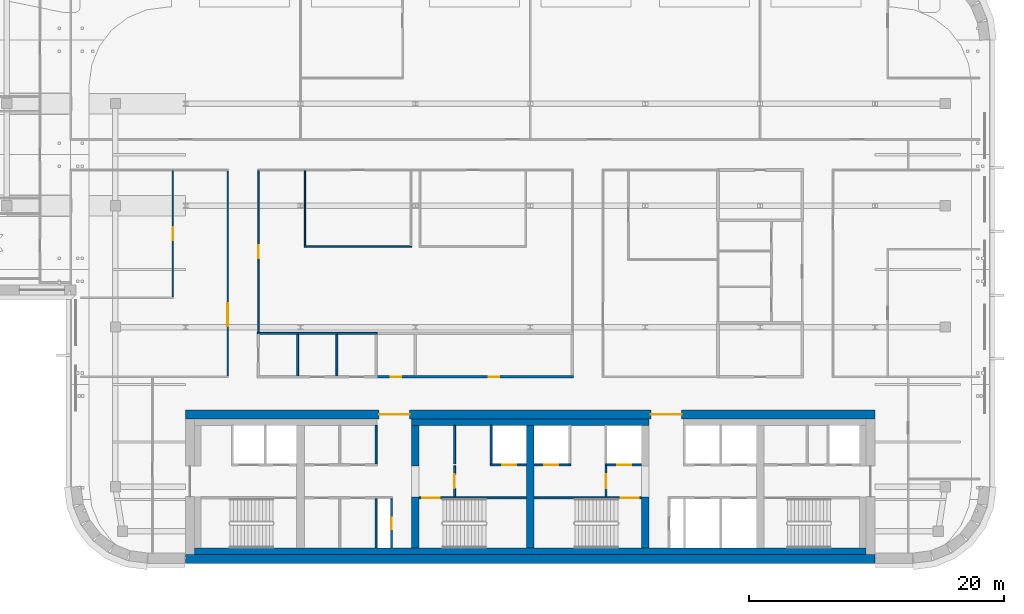
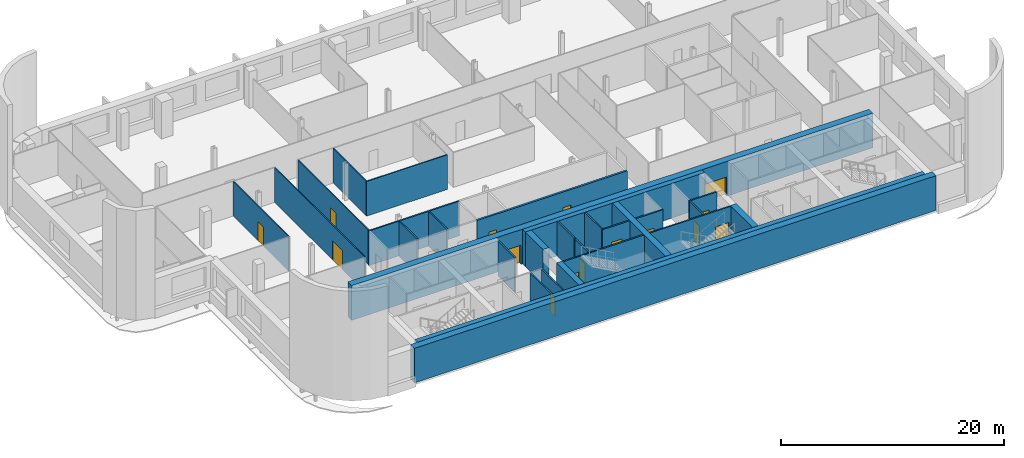
# One storey, part 7 of 19: 29 walls, 15 doors, 15 openings.
"""IFC4 building model written with IfcOpenShell, lengths in metres."""

from ifc_helpers import new_model, si_unit, direction, frame, frame_2d, origin, place, context, subcontext, project, spatial, rectangle, extrude, material, layer, layer_set, type_object, element, fill, save


model = new_model("IFC4")

# Units and contexts
model_context = context("Model", 3, precision=1e-05, world=origin(), true_north=direction((0.0, 1.0)))
body_context = subcontext(model_context, "Body", "Model", "MODEL_VIEW")
ifc_project = project(units=[si_unit("LENGTHUNIT", "METRE"), si_unit("AREAUNIT", "SQUARE_METRE"), si_unit("VOLUMEUNIT", "CUBIC_METRE"), si_unit("PLANEANGLEUNIT", "RADIAN"), si_unit("MASSUNIT", "GRAM", prefix="KILO")], contexts=[model_context])

# Site, building, storey
site_placement = place(None, origin())
site = spatial("IfcSite", under=ifc_project, at=site_placement, CompositionType="ELEMENT")
building_placement = place(site_placement, origin())
building = spatial("IfcBuilding", under=site, at=building_placement, Name="Zellij Exchange Tower", CompositionType="ELEMENT")
storey_placement = place(building_placement, frame((0.0, 0.0, 220.5)))
storey = spatial("IfcBuildingStorey", under=building, at=storey_placement, Name="L51", CompositionType="ELEMENT", Elevation=220.5)

# Walls
ifc_material_1 = material(Name="Concrete C50/60", Category="concrete")
ifc_layer_1 = layer(ifc_material_1, 0.60009765625)
ifc_layer_set_1 = layer_set([ifc_layer_1], Name="Concrete C50/60")
wall_type_1 = type_object("IfcWallType", Name="CORE-CW 600 C50/60", PredefinedType="SHEAR", material=ifc_layer_set_1)
wall_1_placement = place(storey_placement, frame((-9.0, -12.800048828125, 0.0), z_axis=(0.0, 0.0, 1.0), x_axis=(0.0, 1.0, 0.0)))
element("IfcWall", 1, at=wall_1_placement, inside=storey, type_object=wall_type_1, Name="Core cross wall pier x -9 a L51", PredefinedType="SHEAR", context=body_context, shape_type="SweptSolid", body=[
    extrude(rectangle(XDim=4.0, YDim=0.60009765625, at=frame_2d((2.0, 0.0))), origin(), (0.0, 0.0, 1.0), 3.800048828125),
])
wall_2_placement = place(storey_placement, frame((-9.0, -6.375, 0.0), z_axis=(0.0, 0.0, 1.0), x_axis=(0.0, 1.0, 0.0)))
element("IfcWall", 2, at=wall_2_placement, inside=storey, type_object=wall_type_1, Name="Core cross wall pier x -9 b L51", PredefinedType="SHEAR", context=body_context, shape_type="SweptSolid", body=[
    extrude(rectangle(XDim=3.175048828125, YDim=0.60009765625, at=frame_2d((1.58740234375, 0.0))), origin(), (0.0, 0.0, 1.0), 3.800048828125),
])
wall_3_placement = place(storey_placement, frame((0.0, -12.800048828125, 0.0), z_axis=(0.0, 0.0, 1.0), x_axis=(0.0, 1.0, 0.0)))
element("IfcWall", 3, at=wall_3_placement, inside=storey, type_object=wall_type_1, Name="Core cross wall x 0 L51", PredefinedType="SHEAR", context=body_context, shape_type="SweptSolid", body=[
    extrude(rectangle(XDim=9.60009765625, YDim=0.60009765625, at=frame_2d((4.800048828125, 0.0))), origin(), (0.0, 0.0, 1.0), 3.800048828125),
])
wall_4_placement = place(storey_placement, frame((9.0, -12.800048828125, 0.0), z_axis=(0.0, 0.0, 1.0), x_axis=(0.0, 1.0, 0.0)))
element("IfcWall", 4, at=wall_4_placement, inside=storey, type_object=wall_type_1, Name="Core cross wall pier x 9 a L51", PredefinedType="SHEAR", context=body_context, shape_type="SweptSolid", body=[
    extrude(rectangle(XDim=4.0, YDim=0.60009765625, at=frame_2d((2.0, 0.0))), origin(), (0.0, 0.0, 1.0), 3.800048828125),
])
ifc_material_2 = material(Name="Concrete C30/37", Category="concrete")
ifc_layer_2 = layer(ifc_material_2, 0.5)
ifc_layer_set_2 = layer_set([ifc_layer_2], Name="Concrete C30/37")
wall_type_2 = type_object("IfcWallType", Name="CORE-LW 500 C30/37", PredefinedType="SHEAR", material=ifc_layer_set_2)
wall_5_placement = place(storey_placement, frame((-9.300048828125, -2.949951171875, 0.0), z_axis=(0.0, 0.0, 1.0), x_axis=(1.0, 0.0, 0.0)))
element("IfcWall", 5, at=wall_5_placement, inside=storey, type_object=wall_type_2, Name="Core wall lining front.1 L51", PredefinedType="SHEAR", context=body_context, shape_type="SweptSolid", body=[
    extrude(rectangle(XDim=18.60009765625, YDim=0.5, at=frame_2d((9.300048828125, 0.0))), origin(), (0.0, 0.0, 1.0), 3.800048828125),
])
wall_6_placement = place(storey_placement, frame((-26.300048828125, -13.050048828125, 0.0), z_axis=(0.0, 0.0, 1.0), x_axis=(1.0, 0.0, 0.0)))
element("IfcWall", 6, at=wall_6_placement, inside=storey, type_object=wall_type_2, Name="Core wall lining rear.0 L51", PredefinedType="SHEAR", context=body_context, shape_type="SweptSolid", body=[
    extrude(rectangle(XDim=52.60009765625, YDim=0.5, at=frame_2d((26.300048828125, 0.0))), origin(), (0.0, 0.0, 1.0), 3.800048828125),
])

# Wall, opening, door
ifc_material_3 = material(Name="Gypsum shaft wall system")
ifc_layer_3 = layer(ifc_material_3, 0.14990234375)
ifc_layer_set_3 = layer_set([ifc_layer_3], Name="Gypsum shaft wall system")
wall_type_3 = type_object("IfcWallType", Name="CORE-PW 150 Firefighting lobby wall", PredefinedType="PARTITIONING", material=ifc_layer_set_3)
wall_7_placement = place(storey_placement, frame((-5.925048828125, -8.800048828125, 0.0), z_axis=(0.0, 0.0, 1.0), x_axis=(0.0, 1.0, 0.0)))
wall_7 = element("IfcWall", 7, at=wall_7_placement, inside=storey, type_object=wall_type_3, Name="Firefighting lobby wall L51", PredefinedType="PARTITIONING", context=body_context, shape_type="SweptSolid", body=[
    extrude(rectangle(XDim=2.425048828125, YDim=0.14990234375, at=frame_2d((1.21240234375, 0.0))), origin(), (0.0, 0.0, 1.0), 3.800048828125),
])
opening_1_placement = place(wall_7_placement, frame((0.662109375, 0.0, 0.0)))
opening_1 = element("IfcOpeningElement", 8, at=opening_1_placement, cuts=wall_7, Name="Opening CA-28.12", PredefinedType="OPENING", context=body_context, shape_type="SweptSolid", body=[
    extrude(rectangle(XDim=1.10009765625, YDim=2.10009765625, at=frame_2d((0.550048828125, 1.050048828125))), frame((0.0, 0.0869140625, 0.0), z_axis=(0.0, -1.0, 0.0), x_axis=(1.0, 0.0, 0.0)), (0.0, 0.0, 1.0), 0.173828125),
])
ifc_material_4 = material(Name="Hollow metal fire door")
door_type_1 = type_object("IfcDoorType", Name="CORE-D F Firefighting lobby door 1100x2100 1 HR", OperationType="NOTDEFINED", PredefinedType="DOOR", material=ifc_material_4)
door_1_placement = place(opening_1_placement, origin())
door_1 = element("IfcDoor", 9, at=door_1_placement, inside=storey, type_object=door_type_1, Name="Firefighting lobby door CA-28.12", OperationType="SINGLE_SWING_LEFT", OverallHeight=2.10009765625, OverallWidth=1.10009765625, PredefinedType="DOOR", context=body_context, shape_type="SweptSolid", body=[
    extrude(rectangle(XDim=1.10009765625, YDim=2.10009765625, at=frame_2d((0.550048828125, 1.050048828125))), frame((0.0, 0.02490234375, 0.0), z_axis=(0.0, -1.0, 0.0), x_axis=(1.0, 0.0, 0.0)), (0.0, 0.0, 1.0), 0.050048828125),
])
fill(opening_1, door_1)

wall_8_placement = place(storey_placement, frame((5.925048828125, -8.800048828125, 0.0), z_axis=(0.0, 0.0, 1.0), x_axis=(0.0, 1.0, 0.0)))
wall_8 = element("IfcWall", 10, at=wall_8_placement, inside=storey, type_object=wall_type_3, Name="Firefighting lobby wall L51", PredefinedType="PARTITIONING", context=body_context, shape_type="SweptSolid", body=[
    extrude(rectangle(XDim=2.425048828125, YDim=0.14990234375, at=frame_2d((1.21240234375, 0.0))), origin(), (0.0, 0.0, 1.0), 3.800048828125),
])
opening_2_placement = place(wall_8_placement, frame((0.662109375, 0.0, 0.0)))
opening_2 = element("IfcOpeningElement", 11, at=opening_2_placement, cuts=wall_8, Name="Opening CA-28.15", PredefinedType="OPENING", context=body_context, shape_type="SweptSolid", body=[
    extrude(rectangle(XDim=1.10009765625, YDim=2.10009765625, at=frame_2d((0.550048828125, 1.050048828125))), frame((0.0, 0.0869140625, 0.0), z_axis=(0.0, -1.0, 0.0), x_axis=(1.0, 0.0, 0.0)), (0.0, 0.0, 1.0), 0.173828125),
])
door_2_placement = place(opening_2_placement, origin())
door_2 = element("IfcDoor", 12, at=door_2_placement, inside=storey, type_object=door_type_1, Name="Firefighting lobby door CA-28.15", OperationType="SINGLE_SWING_RIGHT", OverallHeight=2.10009765625, OverallWidth=1.10009765625, PredefinedType="DOOR", context=body_context, shape_type="SweptSolid", body=[
    extrude(rectangle(XDim=1.10009765625, YDim=2.10009765625, at=frame_2d((0.550048828125, 1.050048828125))), frame((0.0, 0.02490234375, 0.0), z_axis=(0.0, -1.0, 0.0), x_axis=(1.0, 0.0, 0.0)), (0.0, 0.0, 1.0), 0.050048828125),
])
fill(opening_2, door_2)

# Walls
ifc_material_5 = material(Name="Gypsum board partition")
ifc_layer_4 = layer(ifc_material_5, 0.14990234375)
ifc_layer_set_4 = layer_set([ifc_layer_4], Name="Gypsum board partition")
wall_type_4 = type_object("IfcWallType", Name="CORE-PW 150 Lift lobby wall", PredefinedType="PARTITIONING", material=ifc_layer_set_4)
for number, where, z_axis, x_axis, name in (
    (13, (-12.074951171875, -6.22509765625, 0.0), (0.0, 0.0, 1.0), (0.0, 1.0, 0.0), "Lift lobby wall L51"),
    (14, (-5.925048828125, -6.22509765625, 0.0), (0.0, 0.0, 1.0), (0.0, 1.0, 0.0), "Lift lobby wall L51"),
):
    element("IfcWall", number, at=place(storey_placement, frame(where, z_axis=z_axis, x_axis=x_axis)), inside=storey, type_object=wall_type_4, Name=name, PredefinedType="PARTITIONING", context=body_context, shape_type="SweptSolid", body=[
        extrude(rectangle(XDim=3.025146484375, YDim=0.14990234375, at=frame_2d((1.5126953125, 0.0))), origin(), (0.0, 0.0, 1.0), 3.800048828125),
    ])

# Wall, opening, door
wall_9_placement = place(storey_placement, frame((-10.875, -12.800048828125, 0.0), z_axis=(0.0, 0.0, 1.0), x_axis=(0.0, 1.0, 0.0)))
wall_9 = element("IfcWall", 15, at=wall_9_placement, inside=storey, type_object=wall_type_4, Name="Lift lobby wall L51", PredefinedType="PARTITIONING", context=body_context, shape_type="SweptSolid", body=[
    extrude(rectangle(XDim=3.85009765625, YDim=0.14990234375, at=frame_2d((1.925048828125, 0.0))), origin(), (0.0, 0.0, 1.0), 3.800048828125),
])
opening_3_placement = place(wall_9_placement, frame((1.47509765625, 0.0, 0.0)))
opening_3 = element("IfcOpeningElement", 16, at=opening_3_placement, cuts=wall_9, Name="Opening CA-28.09", PredefinedType="OPENING", context=body_context, shape_type="SweptSolid", body=[
    extrude(rectangle(XDim=0.89990234375, YDim=2.10009765625, at=frame_2d((0.449951171875, 1.050048828125))), frame((0.0, 0.0869140625, 0.0), z_axis=(0.0, -1.0, 0.0), x_axis=(1.0, 0.0, 0.0)), (0.0, 0.0, 1.0), 0.173828125),
])
door_type_2 = type_object("IfcDoorType", Name="CORE-D RD Riser door 900x2100 1.5 HR", OperationType="NOTDEFINED", PredefinedType="DOOR", material=ifc_material_4)
door_3_placement = place(opening_3_placement, origin())
door_3 = element("IfcDoor", 17, at=door_3_placement, inside=storey, type_object=door_type_2, Name="Riser door CA-28.09", OperationType="SINGLE_SWING_RIGHT", OverallHeight=2.10009765625, OverallWidth=0.89990234375, PredefinedType="DOOR", context=body_context, shape_type="SweptSolid", body=[
    extrude(rectangle(XDim=0.89990234375, YDim=2.10009765625, at=frame_2d((0.449951171875, 1.050048828125))), frame((0.0, 0.02490234375, 0.0), z_axis=(0.0, -1.0, 0.0), x_axis=(1.0, 0.0, 0.0)), (0.0, 0.0, 1.0), 0.050048828125),
])
fill(opening_3, door_3)

# Walls
wall_10_placement = place(storey_placement, frame((-12.074951171875, -12.800048828125, 0.0), z_axis=(0.0, 0.0, 1.0), x_axis=(0.0, 1.0, 0.0)))
element("IfcWall", 18, at=wall_10_placement, inside=storey, type_object=wall_type_4, Name="Lift lobby wall L51", PredefinedType="PARTITIONING", context=body_context, shape_type="SweptSolid", body=[
    extrude(rectangle(XDim=3.85009765625, YDim=0.14990234375, at=frame_2d((1.925048828125, 0.0))), origin(), (0.0, 0.0, 1.0), 3.800048828125),
])
ifc_layer_5 = layer(ifc_material_3, 0.14990234375)
ifc_layer_set_5 = layer_set([ifc_layer_5], Name="Gypsum shaft wall system")
wall_type_5 = type_object("IfcWallType", Name="CORE-PW 150 Lift shaft wall", PredefinedType="PARTITIONING", material=ifc_layer_set_5)
wall_11_placement = place(storey_placement, frame((-3.074951171875, -6.22509765625, 0.0), z_axis=(0.0, 0.0, 1.0), x_axis=(0.0, 1.0, 0.0)))
element("IfcWall", 19, at=wall_11_placement, inside=storey, type_object=wall_type_5, Name="Lift shaft wall L51", PredefinedType="PARTITIONING", context=body_context, shape_type="SweptSolid", body=[
    extrude(rectangle(XDim=3.025146484375, YDim=0.14990234375, at=frame_2d((1.5126953125, 0.0))), origin(), (0.0, 0.0, 1.0), 3.800048828125),
])

# Wall, opening, door
wall_12_placement = place(storey_placement, frame((-3.14990234375, -6.300048828125, 0.0), z_axis=(0.0, 0.0, 1.0), x_axis=(1.0, 0.0, 0.0)))
wall_12 = element("IfcWall", 20, at=wall_12_placement, inside=storey, type_object=wall_type_5, Name="Lift shaft wall L51", PredefinedType="PARTITIONING", context=body_context, shape_type="SweptSolid", body=[
    extrude(rectangle(XDim=2.849853515625, YDim=0.14990234375, at=frame_2d((1.4248046875, 0.0))), origin(), (0.0, 0.0, 1.0), 3.800048828125),
])
opening_4_placement = place(wall_12_placement, frame((0.949951171875, 0.0, 0.0)))
opening_4 = element("IfcOpeningElement", 21, at=opening_4_placement, cuts=wall_12, Name="Opening CA-28.13", PredefinedType="OPENING", context=body_context, shape_type="SweptSolid", body=[
    extrude(rectangle(XDim=1.10009765625, YDim=2.10009765625, at=frame_2d((0.550048828125, 1.050048828125))), frame((0.0, 0.0869140625, 0.0), z_axis=(0.0, -1.0, 0.0), x_axis=(1.0, 0.0, 0.0)), (0.0, 0.0, 1.0), 0.173828125),
])
door_type_3 = type_object("IfcDoorType", Name="CORE-D LD Lift landing door 1100x2100 1.5 HR", OperationType="NOTDEFINED", PredefinedType="DOOR", material=ifc_material_4)
door_4_placement = place(opening_4_placement, origin())
door_4 = element("IfcDoor", 22, at=door_4_placement, inside=storey, type_object=door_type_3, Name="Lift landing door CA-28.13", OperationType="SLIDING_TO_LEFT", OverallHeight=2.10009765625, OverallWidth=1.10009765625, PredefinedType="DOOR", context=body_context, shape_type="SweptSolid", body=[
    extrude(rectangle(XDim=1.10009765625, YDim=2.10009765625, at=frame_2d((0.550048828125, 1.050048828125))), frame((0.0, 0.02490234375, 0.0), z_axis=(0.0, -1.0, 0.0), x_axis=(1.0, 0.0, 0.0)), (0.0, 0.0, 1.0), 0.050048828125),
])
fill(opening_4, door_4)

wall_13_placement = place(storey_placement, frame((0.300048828125, -6.300048828125, 0.0), z_axis=(0.0, 0.0, 1.0), x_axis=(1.0, 0.0, 0.0)))
wall_13 = element("IfcWall", 23, at=wall_13_placement, inside=storey, type_object=wall_type_5, Name="Lift shaft wall L51", PredefinedType="PARTITIONING", context=body_context, shape_type="SweptSolid", body=[
    extrude(rectangle(XDim=2.849853515625, YDim=0.14990234375, at=frame_2d((1.4248046875, 0.0))), origin(), (0.0, 0.0, 1.0), 3.800048828125),
])
opening_5_placement = place(wall_13_placement, frame((0.800048828125, 0.0, 0.0)))
opening_5 = element("IfcOpeningElement", 24, at=opening_5_placement, cuts=wall_13, Name="Opening CA-28.14", PredefinedType="OPENING", context=body_context, shape_type="SweptSolid", body=[
    extrude(rectangle(XDim=1.10009765625, YDim=2.10009765625, at=frame_2d((0.550048828125, 1.050048828125))), frame((0.0, 0.0869140625, 0.0), z_axis=(0.0, -1.0, 0.0), x_axis=(1.0, 0.0, 0.0)), (0.0, 0.0, 1.0), 0.173828125),
])
door_5_placement = place(opening_5_placement, origin())
door_5 = element("IfcDoor", 25, at=door_5_placement, inside=storey, type_object=door_type_3, Name="Lift landing door CA-28.14", OperationType="SLIDING_TO_RIGHT", OverallHeight=2.10009765625, OverallWidth=1.10009765625, PredefinedType="DOOR", context=body_context, shape_type="SweptSolid", body=[
    extrude(rectangle(XDim=1.10009765625, YDim=2.10009765625, at=frame_2d((0.550048828125, 1.050048828125))), frame((0.0, 0.02490234375, 0.0), z_axis=(0.0, -1.0, 0.0), x_axis=(1.0, 0.0, 0.0)), (0.0, 0.0, 1.0), 0.050048828125),
])
fill(opening_5, door_5)

wall_14_placement = place(storey_placement, frame((5.85009765625, -6.300048828125, 0.0), z_axis=(0.0, 0.0, 1.0), x_axis=(1.0, 0.0, 0.0)))
wall_14 = element("IfcWall", 26, at=wall_14_placement, inside=storey, type_object=wall_type_5, Name="Lift shaft wall L51", PredefinedType="PARTITIONING", context=body_context, shape_type="SweptSolid", body=[
    extrude(rectangle(XDim=2.849853515625, YDim=0.14990234375, at=frame_2d((1.4248046875, 0.0))), origin(), (0.0, 0.0, 1.0), 3.800048828125),
])
opening_6_placement = place(wall_14_placement, frame((0.949951171875, 0.0, 0.0)))
opening_6 = element("IfcOpeningElement", 27, at=opening_6_placement, cuts=wall_14, Name="Opening CA-28.16", PredefinedType="OPENING", context=body_context, shape_type="SweptSolid", body=[
    extrude(rectangle(XDim=1.10009765625, YDim=2.10009765625, at=frame_2d((0.550048828125, 1.050048828125))), frame((0.0, 0.0869140625, 0.0), z_axis=(0.0, -1.0, 0.0), x_axis=(1.0, 0.0, 0.0)), (0.0, 0.0, 1.0), 0.173828125),
])
door_6_placement = place(opening_6_placement, origin())
door_6 = element("IfcDoor", 28, at=door_6_placement, inside=storey, type_object=door_type_3, Name="Lift landing door CA-28.16", OperationType="SLIDING_TO_RIGHT", OverallHeight=2.10009765625, OverallWidth=1.10009765625, PredefinedType="DOOR", context=body_context, shape_type="SweptSolid", body=[
    extrude(rectangle(XDim=1.10009765625, YDim=2.10009765625, at=frame_2d((0.550048828125, 1.050048828125))), frame((0.0, 0.02490234375, 0.0), z_axis=(0.0, -1.0, 0.0), x_axis=(1.0, 0.0, 0.0)), (0.0, 0.0, 1.0), 0.050048828125),
])
fill(opening_6, door_6)

# Wall, openings, doors
ifc_layer_6 = layer(ifc_material_1, 0.699951171875)
ifc_layer_set_6 = layer_set([ifc_layer_6], Name="Concrete C50/60")
wall_type_6 = type_object("IfcWallType", Name="CORE-SW 700 C50/60", PredefinedType="SHEAR", material=ifc_layer_set_6)
wall_15_placement = place(storey_placement, frame((-27.0, -2.35009765625, 0.0), z_axis=(0.0, 0.0, 1.0), x_axis=(1.0, 0.0, 0.0)))
wall_15 = element("IfcWall", 29, at=wall_15_placement, inside=storey, type_object=wall_type_6, Name="Core shear wall front L51", PredefinedType="SHEAR", context=body_context, shape_type="SweptSolid", body=[
    extrude(rectangle(XDim=54.0, YDim=0.699951171875, at=frame_2d((27.0, 0.0))), origin(), (0.0, 0.0, 1.0), 3.800048828125),
])
opening_7_placement = place(wall_15_placement, frame((15.14990234375, 0.0, 0.0)))
opening_7 = element("IfcOpeningElement", 30, at=opening_7_placement, cuts=wall_15, Name="Opening CA-28.10", PredefinedType="OPENING", context=body_context, shape_type="SweptSolid", body=[
    extrude(rectangle(XDim=2.39990234375, YDim=2.10009765625, at=frame_2d((1.199951171875, 1.050048828125))), frame((0.0, 0.36181640625, 0.0), z_axis=(0.0, -1.0, 0.0), x_axis=(1.0, 0.0, 0.0)), (0.0, 0.0, 1.0), 0.723876953125),
])
opening_8_placement = place(wall_15_placement, frame((36.449951171875, 0.0, 0.0)))
opening_8 = element("IfcOpeningElement", 31, at=opening_8_placement, cuts=wall_15, Name="Opening CA-28.18", PredefinedType="OPENING", context=body_context, shape_type="SweptSolid", body=[
    extrude(rectangle(XDim=2.39990234375, YDim=2.10009765625, at=frame_2d((1.199951171875, 1.050048828125))), frame((0.0, 0.36181640625, 0.0), z_axis=(0.0, -1.0, 0.0), x_axis=(1.0, 0.0, 0.0)), (0.0, 0.0, 1.0), 0.723876953125),
])
door_type_4 = type_object("IfcDoorType", Name="CORE-D CE Core entrance door 2400x2100 20 MIN", OperationType="NOTDEFINED", PredefinedType="DOOR", material=ifc_material_4)
door_7_placement = place(opening_7_placement, origin())
door_7 = element("IfcDoor", 32, at=door_7_placement, inside=storey, type_object=door_type_4, Name="Core entrance door CA-28.10", OperationType="DOUBLE_DOOR_SINGLE_SWING", OverallHeight=2.10009765625, OverallWidth=2.39990234375, PredefinedType="DOOR", context=body_context, shape_type="SweptSolid", body=[
    extrude(rectangle(XDim=2.39990234375, YDim=2.10009765625, at=frame_2d((1.199951171875, 1.050048828125))), frame((0.0, 0.02490234375, 0.0), z_axis=(0.0, -1.0, 0.0), x_axis=(1.0, 0.0, 0.0)), (0.0, 0.0, 1.0), 0.050048828125),
])
fill(opening_7, door_7)
door_8_placement = place(opening_8_placement, origin())
door_8 = element("IfcDoor", 33, at=door_8_placement, inside=storey, type_object=door_type_4, Name="Core entrance door CA-28.18", OperationType="DOUBLE_DOOR_SINGLE_SWING", OverallHeight=2.10009765625, OverallWidth=2.39990234375, PredefinedType="DOOR", context=body_context, shape_type="SweptSolid", body=[
    extrude(rectangle(XDim=2.39990234375, YDim=2.10009765625, at=frame_2d((1.199951171875, 1.050048828125))), frame((0.0, 0.02490234375, 0.0), z_axis=(0.0, -1.0, 0.0), x_axis=(1.0, 0.0, 0.0)), (0.0, 0.0, 1.0), 0.050048828125),
])
fill(opening_8, door_8)

# Wall
wall_16_placement = place(storey_placement, frame((-27.0, -13.64990234375, 0.0), z_axis=(0.0, 0.0, 1.0), x_axis=(1.0, 0.0, 0.0)))
element("IfcWall", 34, at=wall_16_placement, inside=storey, type_object=wall_type_6, Name="Core shear wall rear L51", PredefinedType="SHEAR", context=body_context, shape_type="SweptSolid", body=[
    extrude(rectangle(XDim=54.0, YDim=0.699951171875, at=frame_2d((27.0, 0.0))), origin(), (0.0, 0.0, 1.0), 3.800048828125),
])

# Wall, opening, door
ifc_layer_7 = layer(ifc_material_1, 0.14990234375)
ifc_layer_set_7 = layer_set([ifc_layer_7], Name="Concrete C50/60")
wall_type_7 = type_object("IfcWallType", Name="CORE-SWS 150 C50/60", PredefinedType="SHEAR", material=ifc_layer_set_7)
wall_17_placement = place(storey_placement, frame((-8.699951171875, -8.875, 0.0), z_axis=(0.0, 0.0, 1.0), x_axis=(1.0, 0.0, 0.0)))
wall_17 = element("IfcWall", 35, at=wall_17_placement, inside=storey, type_object=wall_type_7, Name="Stair enclosure wall L51", PredefinedType="SHEAR", context=body_context, shape_type="SweptSolid", body=[
    extrude(rectangle(XDim=8.39990234375, YDim=0.14990234375, at=frame_2d((4.199951171875, 0.0))), origin(), (0.0, 0.0, 1.0), 3.800048828125),
])
opening_9_placement = place(wall_17_placement, frame((0.22509765625, 0.0, 0.0)))
opening_9 = element("IfcOpeningElement", 36, at=opening_9_placement, cuts=wall_17, Name="Opening CA-28.11", PredefinedType="OPENING", context=body_context, shape_type="SweptSolid", body=[
    extrude(rectangle(XDim=1.39990234375, YDim=2.10009765625, at=frame_2d((0.699951171875, 1.050048828125))), frame((0.0, 0.0869140625, 0.0), z_axis=(0.0, -1.0, 0.0), x_axis=(1.0, 0.0, 0.0)), (0.0, 0.0, 1.0), 0.173828125),
])
door_type_5 = type_object("IfcDoorType", Name="CORE-D SD Stair door 1400x2100 1.5 HR", OperationType="NOTDEFINED", PredefinedType="DOOR", material=ifc_material_4)
door_9_placement = place(opening_9_placement, origin())
door_9 = element("IfcDoor", 37, at=door_9_placement, inside=storey, type_object=door_type_5, Name="Stair door CA-28.11", OperationType="DOUBLE_DOOR_SINGLE_SWING", OverallHeight=2.10009765625, OverallWidth=1.39990234375, PredefinedType="DOOR", context=body_context, shape_type="SweptSolid", body=[
    extrude(rectangle(XDim=1.39990234375, YDim=2.10009765625, at=frame_2d((0.699951171875, 1.050048828125))), frame((0.0, 0.02490234375, 0.0), z_axis=(0.0, -1.0, 0.0), x_axis=(1.0, 0.0, 0.0)), (0.0, 0.0, 1.0), 0.050048828125),
])
fill(opening_9, door_9)

wall_18_placement = place(storey_placement, frame((0.300048828125, -8.875, 0.0), z_axis=(0.0, 0.0, 1.0), x_axis=(1.0, 0.0, 0.0)))
wall_18 = element("IfcWall", 38, at=wall_18_placement, inside=storey, type_object=wall_type_7, Name="Stair enclosure wall L51", PredefinedType="SHEAR", context=body_context, shape_type="SweptSolid", body=[
    extrude(rectangle(XDim=8.39990234375, YDim=0.14990234375, at=frame_2d((4.199951171875, 0.0))), origin(), (0.0, 0.0, 1.0), 3.800048828125),
])
opening_10_placement = place(wall_18_placement, frame((6.77490234375, 0.0, 0.0)))
opening_10 = element("IfcOpeningElement", 39, at=opening_10_placement, cuts=wall_18, Name="Opening CA-28.17", PredefinedType="OPENING", context=body_context, shape_type="SweptSolid", body=[
    extrude(rectangle(XDim=1.39990234375, YDim=2.10009765625, at=frame_2d((0.699951171875, 1.050048828125))), frame((0.0, 0.0869140625, 0.0), z_axis=(0.0, -1.0, 0.0), x_axis=(1.0, 0.0, 0.0)), (0.0, 0.0, 1.0), 0.173828125),
])
door_10_placement = place(opening_10_placement, origin())
door_10 = element("IfcDoor", 40, at=door_10_placement, inside=storey, type_object=door_type_5, Name="Stair door CA-28.17", OperationType="DOUBLE_DOOR_SINGLE_SWING", OverallHeight=2.10009765625, OverallWidth=1.39990234375, PredefinedType="DOOR", context=body_context, shape_type="SweptSolid", body=[
    extrude(rectangle(XDim=1.39990234375, YDim=2.10009765625, at=frame_2d((0.699951171875, 1.050048828125))), frame((0.0, 0.02490234375, 0.0), z_axis=(0.0, -1.0, 0.0), x_axis=(1.0, 0.0, 0.0)), (0.0, 0.0, 1.0), 0.050048828125),
])
fill(opening_10, door_10)

# Wall, openings, doors
ifc_material_6 = material(Name="Blockwork partition", Category="masonry")
ifc_layer_8 = layer(ifc_material_6, 0.199951171875)
ifc_layer_set_8 = layer_set([ifc_layer_8], Name="Blockwork partition")
wall_type_8 = type_object("IfcWallType", Name="FIT-BLOCKWORK-200", PredefinedType="PARTITIONING", material=ifc_layer_set_8)
wall_19_placement = place(storey_placement, frame((-12.155029296875, 0.60009765625, 0.0), z_axis=(0.0, 0.0, 1.0), x_axis=(1.0, 0.0, 0.0)))
wall_19 = element("IfcWall", 41, at=wall_19_placement, inside=storey, type_object=wall_type_8, Name="FIT-BLOCKWORK-200 010", PredefinedType="PARTITIONING", context=body_context, shape_type="SweptSolid", body=[
    extrude(rectangle(XDim=15.554931640625, YDim=0.199951171875, at=frame_2d((7.77734375, 0.0))), origin(), (0.0, 0.0, 1.0), 3.800048828125),
])
opening_11_placement = place(wall_19_placement, frame((1.22998046875, 0.0, 0.0)))
opening_11 = element("IfcOpeningElement", 42, at=opening_11_placement, cuts=wall_19, Name="Opening O4A.05", PredefinedType="OPENING", context=body_context, shape_type="SweptSolid", body=[
    extrude(rectangle(XDim=0.800048828125, YDim=2.10009765625, at=frame_2d((0.39990234375, 1.050048828125))), frame((0.0, 0.11181640625, 0.0), z_axis=(0.0, -1.0, 0.0), x_axis=(1.0, 0.0, 0.0)), (0.0, 0.0, 1.0), 0.223876953125),
])
opening_12_placement = place(wall_19_placement, frame((8.905029296875, 0.0, 0.0)))
opening_12 = element("IfcOpeningElement", 43, at=opening_12_placement, cuts=wall_19, Name="Opening O4A.06", PredefinedType="OPENING", context=body_context, shape_type="SweptSolid", body=[
    extrude(rectangle(XDim=0.800048828125, YDim=2.10009765625, at=frame_2d((0.39990234375, 1.050048828125))), frame((0.0, 0.11181640625, 0.0), z_axis=(0.0, -1.0, 0.0), x_axis=(1.0, 0.0, 0.0)), (0.0, 0.0, 1.0), 0.223876953125),
])
ifc_material_7 = material(Name="Timber door set", Category="wood")
door_type_6 = type_object("IfcDoorType", Name="FIT-D6-SERVICE-800X2100", OperationType="SINGLE_SWING_LEFT", PredefinedType="DOOR", material=ifc_material_7)
door_11_placement = place(opening_11_placement, origin())
door_11 = element("IfcDoor", 44, at=door_11_placement, inside=storey, type_object=door_type_6, Name="Door O4A.05", OperationType="SINGLE_SWING_LEFT", OverallHeight=2.10009765625, OverallWidth=0.800048828125, PredefinedType="DOOR", context=body_context, shape_type="SweptSolid", body=[
    extrude(rectangle(XDim=0.800048828125, YDim=2.10009765625, at=frame_2d((0.39990234375, 1.050048828125))), frame((0.0, 0.02490234375, 0.0), z_axis=(0.0, -1.0, 0.0), x_axis=(1.0, 0.0, 0.0)), (0.0, 0.0, 1.0), 0.050048828125),
])
fill(opening_11, door_11)
door_12_placement = place(opening_12_placement, origin())
door_12 = element("IfcDoor", 45, at=door_12_placement, inside=storey, type_object=door_type_6, Name="Door O4A.06", OperationType="SINGLE_SWING_RIGHT", OverallHeight=2.10009765625, OverallWidth=0.800048828125, PredefinedType="DOOR", context=body_context, shape_type="SweptSolid", body=[
    extrude(rectangle(XDim=0.800048828125, YDim=2.10009765625, at=frame_2d((0.39990234375, 1.050048828125))), frame((0.0, 0.02490234375, 0.0), z_axis=(0.0, -1.0, 0.0), x_axis=(1.0, 0.0, 0.0)), (0.0, 0.0, 1.0), 0.050048828125),
])
fill(opening_12, door_12)

# Wall, opening, door
ifc_material_8 = material(Name="Gypsum board partition on steel studs", Category="steel")
ifc_layer_9 = layer(ifc_material_8, 0.10009765625)
ifc_layer_set_9 = layer_set([ifc_layer_9], Name="Gypsum board partition on steel studs")
wall_type_9 = type_object("IfcWallType", Name="FIT-PARTITION-100", PredefinedType="PARTITIONING", material=ifc_layer_set_9)
wall_20_placement = place(storey_placement, frame((-23.699951171875, 0.64990234375, 0.0), z_axis=(0.0, 0.0, 1.0), x_axis=(0.0, 1.0, 0.0)))
wall_20 = element("IfcWall", 46, at=wall_20_placement, inside=storey, type_object=wall_type_9, Name="FIT-PARTITION-100 005", PredefinedType="PARTITIONING", context=body_context, shape_type="SweptSolid", body=[
    extrude(rectangle(XDim=16.10009765625, YDim=0.10009765625, at=frame_2d((8.050048828125, 0.0))), origin(), (0.0, 0.0, 1.0), 3.800048828125),
])
opening_13_placement = place(wall_20_placement, frame((3.89990234375, 0.0, 0.0)))
opening_13 = element("IfcOpeningElement", 47, at=opening_13_placement, cuts=wall_20, Name="Opening O4A.09", PredefinedType="OPENING", context=body_context, shape_type="SweptSolid", body=[
    extrude(rectangle(XDim=1.800048828125, YDim=2.10009765625, at=frame_2d((0.89990234375, 1.050048828125))), frame((0.0, 0.06201171875, 0.0), z_axis=(0.0, -1.0, 0.0), x_axis=(1.0, 0.0, 0.0)), (0.0, 0.0, 1.0), 0.1240234375),
])
door_type_7 = type_object("IfcDoorType", Name="FIT-D3-DOUBLE-1800X2100", OperationType="DOUBLE_DOOR_SINGLE_SWING", PredefinedType="DOOR", material=ifc_material_7)
door_13_placement = place(opening_13_placement, origin())
door_13 = element("IfcDoor", 48, at=door_13_placement, inside=storey, type_object=door_type_7, Name="Door O4A.09", OperationType="DOUBLE_DOOR_SINGLE_SWING", OverallHeight=2.10009765625, OverallWidth=1.800048828125, PredefinedType="DOOR", context=body_context, shape_type="SweptSolid", body=[
    extrude(rectangle(XDim=1.800048828125, YDim=2.10009765625, at=frame_2d((0.89990234375, 1.050048828125))), frame((0.0, 0.02490234375, 0.0), z_axis=(0.0, -1.0, 0.0), x_axis=(1.0, 0.0, 0.0)), (0.0, 0.0, 1.0), 0.050048828125),
])
fill(opening_13, door_13)

wall_21_placement = place(storey_placement, frame((-21.300048828125, 4.074951171875, 0.0), z_axis=(0.0, 0.0, 1.0), x_axis=(0.0, 1.0, 0.0)))
wall_21 = element("IfcWall", 49, at=wall_21_placement, inside=storey, type_object=wall_type_9, Name="FIT-PARTITION-100 023", PredefinedType="PARTITIONING", context=body_context, shape_type="SweptSolid", body=[
    extrude(rectangle(XDim=12.675048828125, YDim=0.10009765625, at=frame_2d((6.33740234375, 0.0))), origin(), (0.0, 0.0, 1.0), 3.800048828125),
])
opening_14_placement = place(wall_21_placement, frame((5.824951171875, 0.0, 0.0)))
opening_14 = element("IfcOpeningElement", 50, at=opening_14_placement, cuts=wall_21, Name="Opening O4A.15", PredefinedType="OPENING", context=body_context, shape_type="SweptSolid", body=[
    extrude(rectangle(XDim=1.0, YDim=2.10009765625, at=frame_2d((0.5, 1.050048828125))), frame((0.0, 0.06201171875, 0.0), z_axis=(0.0, -1.0, 0.0), x_axis=(1.0, 0.0, 0.0)), (0.0, 0.0, 1.0), 0.1240234375),
])
door_type_8 = type_object("IfcDoorType", Name="FIT-D2-WIDE-1000X2100", OperationType="SINGLE_SWING_LEFT", PredefinedType="DOOR", material=ifc_material_7)
door_14_placement = place(opening_14_placement, origin())
door_14 = element("IfcDoor", 51, at=door_14_placement, inside=storey, type_object=door_type_8, Name="Door O4A.15", OperationType="SINGLE_SWING_LEFT", OverallHeight=2.10009765625, OverallWidth=1.0, PredefinedType="DOOR", context=body_context, shape_type="SweptSolid", body=[
    extrude(rectangle(XDim=1.0, YDim=2.10009765625, at=frame_2d((0.5, 1.050048828125))), frame((0.0, 0.02490234375, 0.0), z_axis=(0.0, -1.0, 0.0), x_axis=(1.0, 0.0, 0.0)), (0.0, 0.0, 1.0), 0.050048828125),
])
fill(opening_14, door_14)

wall_22_placement = place(storey_placement, frame((-28.0, 6.85009765625, 0.0), z_axis=(0.0, 0.0, 1.0), x_axis=(0.0, 1.0, 0.0)))
wall_22 = element("IfcWall", 52, at=wall_22_placement, inside=storey, type_object=wall_type_9, Name="FIT-PARTITION-100 031", PredefinedType="PARTITIONING", context=body_context, shape_type="SweptSolid", body=[
    extrude(rectangle(XDim=9.89990234375, YDim=0.10009765625, at=frame_2d((4.949951171875, 0.0))), origin(), (0.0, 0.0, 1.0), 3.800048828125),
])
opening_15_placement = place(wall_22_placement, frame((4.449951171875, 0.0, 0.0)))
opening_15 = element("IfcOpeningElement", 53, at=opening_15_placement, cuts=wall_22, Name="Opening O4A.18", PredefinedType="OPENING", context=body_context, shape_type="SweptSolid", body=[
    extrude(rectangle(XDim=1.0, YDim=2.10009765625, at=frame_2d((0.5, 1.050048828125))), frame((0.0, 0.06201171875, 0.0), z_axis=(0.0, -1.0, 0.0), x_axis=(1.0, 0.0, 0.0)), (0.0, 0.0, 1.0), 0.1240234375),
])
door_15_placement = place(opening_15_placement, origin())
door_15 = element("IfcDoor", 54, at=door_15_placement, inside=storey, type_object=door_type_8, Name="Door O4A.18", OperationType="SINGLE_SWING_LEFT", OverallHeight=2.10009765625, OverallWidth=1.0, PredefinedType="DOOR", context=body_context, shape_type="SweptSolid", body=[
    extrude(rectangle(XDim=1.0, YDim=2.10009765625, at=frame_2d((0.5, 1.050048828125))), frame((0.0, 0.02490234375, 0.0), z_axis=(0.0, -1.0, 0.0), x_axis=(1.0, 0.0, 0.0)), (0.0, 0.0, 1.0), 0.050048828125),
])
fill(opening_15, door_15)

# Walls
wall_23_placement = place(storey_placement, frame((-17.699951171875, 10.800048828125, 0.0), z_axis=(0.0, 0.0, 1.0), x_axis=(1.0, 0.0, 0.0)))
element("IfcWall", 55, at=wall_23_placement, inside=storey, type_object=wall_type_9, Name="FIT-PARTITION-100 041", PredefinedType="PARTITIONING", context=body_context, shape_type="SweptSolid", body=[
    extrude(rectangle(XDim=8.39990234375, YDim=0.10009765625, at=frame_2d((4.199951171875, 0.0))), origin(), (0.0, 0.0, 1.0), 3.800048828125),
])
wall_24_placement = place(storey_placement, frame((-17.64990234375, 10.85009765625, 0.0), z_axis=(0.0, 0.0, 1.0), x_axis=(0.0, 1.0, 0.0)))
element("IfcWall", 56, at=wall_24_placement, inside=storey, type_object=wall_type_9, Name="FIT-PARTITION-100 042", PredefinedType="PARTITIONING", context=body_context, shape_type="SweptSolid", body=[
    extrude(rectangle(XDim=5.89990234375, YDim=0.10009765625, at=frame_2d((2.949951171875, 0.0))), origin(), (0.0, 0.0, 1.0), 3.800048828125),
])
ifc_material_9 = material(Name="Gypsum board shaft-wall partition", Category="gypsum")
ifc_layer_10 = layer(ifc_material_9, 0.14990234375)
ifc_layer_set_10 = layer_set([ifc_layer_10], Name="Gypsum board shaft-wall partition")
wall_type_10 = type_object("IfcWallType", Name="FIT-PARTITION-150-EI60", PredefinedType="PARTITIONING", material=ifc_layer_set_10)
for number, where, z_axis, x_axis, name in (
    (57, (-18.219970703125, 0.675048828125, 0.0), (0.0, 0.0, 1.0), (0.0, 1.0, 0.0), "FIT-PARTITION-150-EI60 008"),
    (58, (-15.14990234375, 0.675048828125, 0.0), (0.0, 0.0, 1.0), (0.0, 1.0, 0.0), "FIT-PARTITION-150-EI60 009"),
):
    element("IfcWall", number, at=place(storey_placement, frame(where, z_axis=z_axis, x_axis=x_axis)), inside=storey, type_object=wall_type_10, Name=name, PredefinedType="PARTITIONING", context=body_context, shape_type="SweptSolid", body=[
        extrude(rectangle(XDim=3.25, YDim=0.14990234375, at=frame_2d((1.625, 0.0))), origin(), (0.0, 0.0, 1.0), 3.800048828125),
    ])
wall_25_placement = place(storey_placement, frame((-21.375, 4.0, 0.0), z_axis=(0.0, 0.0, 1.0), x_axis=(1.0, 0.0, 0.0)))
element("IfcWall", 59, at=wall_25_placement, inside=storey, type_object=wall_type_10, Name="FIT-PARTITION-150-EI60 022", PredefinedType="PARTITIONING", context=body_context, shape_type="SweptSolid", body=[
    extrude(rectangle(XDim=9.3701171875, YDim=0.14990234375, at=frame_2d((4.68505859375, 0.0))), origin(), (0.0, 0.0, 1.0), 3.800048828125),
])

save(model, "model.ifc")
